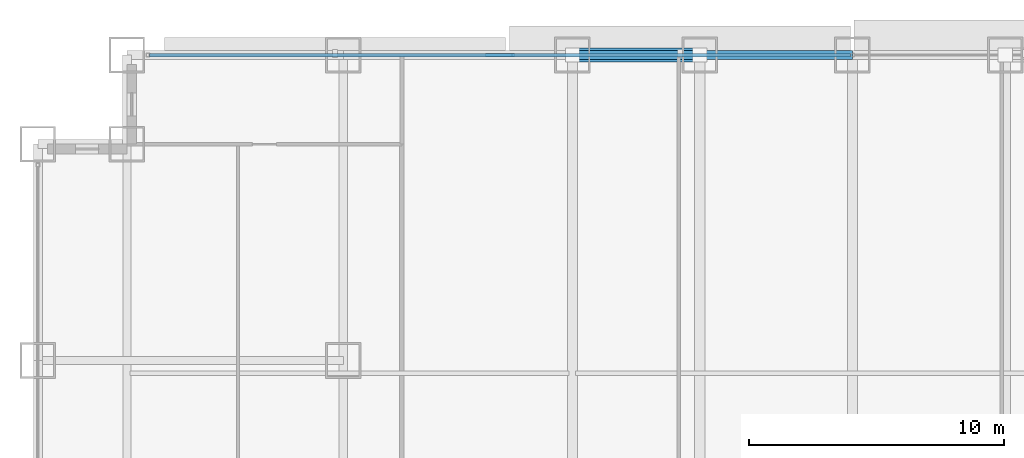
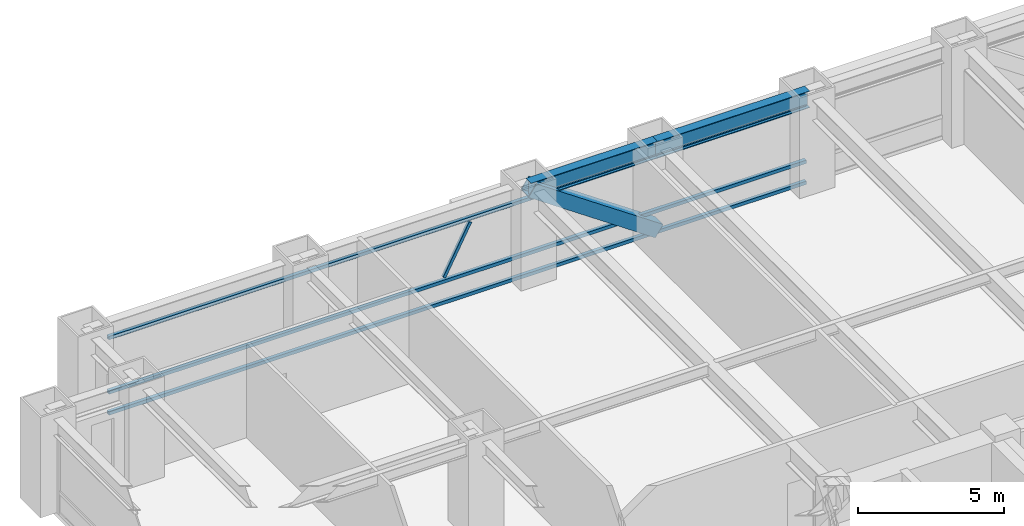
# One storey, part 18 of 32: 5 members, 2 beams, 1 element without a shape of its own.
"""IFC4 building model written with IfcOpenShell, lengths in metres."""

from ifc_helpers import new_model, si_unit, direction, frame, origin, origin_2d, place, context, subcontext, project, spatial, hollow_rectangle, i_section, extrude, source, transform, mapped, material, material_profile, profile_set, type_object, element, aggregate, save


model = new_model("IFC4")

# Units and contexts
model_context = context("Model", 3, precision=1e-05, world=origin(), true_north=direction((0.0, 1.0)))
body_context = subcontext(model_context, "Body", "Model", "MODEL_VIEW")
ifc_project = project(units=[si_unit("LENGTHUNIT", "METRE"), si_unit("AREAUNIT", "SQUARE_METRE"), si_unit("VOLUMEUNIT", "CUBIC_METRE"), si_unit("PLANEANGLEUNIT", "RADIAN"), si_unit("MASSUNIT", "GRAM", prefix="KILO")], contexts=[model_context])

# Site, building, storey
site_placement = place(None, origin())
site = spatial("IfcSite", under=ifc_project, at=site_placement, CompositionType="ELEMENT")
building_placement = place(site_placement, origin())
building = spatial("IfcBuilding", under=site, at=building_placement, Name="Khorayat Bourse Tower", CompositionType="ELEMENT")
storey_placement = place(building_placement, frame((0.0, 0.0, 78.800048828125)))
storey = spatial("IfcBuildingStorey", under=building, at=storey_placement, Name="L17", CompositionType="ELEMENT", Elevation=78.800048828125)

# Beams
ifc_material_1 = material(Name="Steel ASTM A992 Grade 50", Category="steel")
ifc_material_profile_1 = material_profile(ifc_material_1, i_section(OverallWidth=0.35498046875, OverallDepth=0.695068359375, WebThickness=0.015380859375, FlangeThickness=0.02490234375, FilletRadius=0.01806640625, at=origin_2d()), Name="W690X217")
ifc_profile_set_1 = profile_set([ifc_material_profile_1], Name="Steel ASTM A992 Grade 50")
beam_type = type_object("IfcBeamType", Name="BM-SPAN-690", PredefinedType="SPANDREL", material=ifc_profile_set_1)
shared_shape_1 = source(origin(), body_context, "Body", "SweptSolid", [
    extrude(i_section(OverallWidth=0.35498046875, OverallDepth=0.695068359375, WebThickness=0.015380859375, FlangeThickness=0.02490234375, FilletRadius=0.01806640625, at=origin_2d()), origin(), (0.0, 0.0, 1.0), 5.0),
])
beam_1_placement = place(storey_placement, frame((-11.0, 32.0, 3.592529296875), z_axis=(1.0, 0.0, 0.0), x_axis=(0.0, 1.0, 0.0)))
element("IfcBeam", 1, at=beam_1_placement, inside=storey, type_object=beam_type, Name="L17 BM-SPAN-690 BM-L17-SPN-049", PredefinedType="SPANDREL", context=body_context, shape_type="MappedRepresentation", body=[
    mapped(shared_shape_1, transform((0.0, 0.0, 0.0), scale=1.0)),
])
shared_shape_2 = source(origin(), body_context, "Body", "SweptSolid", [
    extrude(i_section(OverallWidth=0.35498046875, OverallDepth=0.695068359375, WebThickness=0.015380859375, FlangeThickness=0.02490234375, FilletRadius=0.01806640625, at=origin_2d()), origin(), (0.0, 0.0, 1.0), 6.0),
])
beam_2_placement = place(storey_placement, frame((-6.0, 32.0, 3.592529296875), z_axis=(1.0, 0.0, 0.0), x_axis=(0.0, 1.0, 0.0)))
element("IfcBeam", 2, at=beam_2_placement, inside=storey, type_object=beam_type, Name="L17 BM-SPAN-690 BM-L17-SPN-048", PredefinedType="SPANDREL", context=body_context, shape_type="MappedRepresentation", body=[
    mapped(shared_shape_2, transform((0.0, 0.0, 0.0), scale=1.0)),
])

# Member
ifc_material_2 = material(Name="Steel EN 10025-4 S460M", Category="steel")
ifc_material_profile_2 = material_profile(ifc_material_2, hollow_rectangle(XDim=0.550048828125, YDim=0.550048828125, WallThickness=0.031982421875, at=origin_2d()), Name="HSS 550x550x32")
ifc_profile_set_2 = profile_set([ifc_material_profile_2], Name="Steel EN 10025-4 S460M")
member_type_1 = type_object("IfcMemberType", Name="MBR-TUBE-550", PredefinedType="BRACE", material=ifc_profile_set_2)
shared_shape_3 = source(origin(), body_context, "Body", "SweptSolid", [
    extrude(hollow_rectangle(XDim=0.550048828125, YDim=0.550048828125, WallThickness=0.031982421875, at=origin_2d()), origin(), (0.0, 0.0, 1.0), 6.069091796875),
])
member_1_placement = place(storey_placement, frame((-11.0, 32.0, 3.68994140625), z_axis=(0.823854080622, 0.0, -0.566801952928), x_axis=(0.0, 1.0, 0.0)))
element("IfcMember", 3, at=member_1_placement, inside=storey, type_object=member_type_1, Name="L17 Perimeter Tube Brace 03", PredefinedType="BRACE", context=body_context, shape_type="MappedRepresentation", body=[
    mapped(shared_shape_3, transform((0.0, 0.0, 0.0), scale=1.0)),
])

# Curtain wall, members
ifc_material_3 = material(Name="Aluminium EN AW-6063 T6", Category="aluminium")
curtain_wall_type = type_object("IfcCurtainWallType", Name="CW-SYS-02", PredefinedType="NOTDEFINED", material=ifc_material_3)
curtain_wall_placement = place(storey_placement, origin())
curtain_wall = element("IfcCurtainWall", 4, at=curtain_wall_placement, inside=storey, type_object=curtain_wall_type, Name="L17 Curtain Wall CW-L17-N1", PredefinedType="NOTDEFINED")
ifc_material_profile_3 = material_profile(ifc_material_3, hollow_rectangle(XDim=0.1201171875, YDim=0.1201171875, WallThickness=0.0048828125, at=origin_2d()), Name="ALU 120x120x5")
ifc_profile_set_3 = profile_set([ifc_material_profile_3], Name="Aluminium EN AW-6063 T6")
member_type_2 = type_object("IfcMemberType", Name="CWM-DIAG-120", PredefinedType="MULLION", material=ifc_profile_set_3)
shared_shape_4 = source(origin(), body_context, "Body", "SweptSolid", [
    extrude(hollow_rectangle(XDim=0.1201171875, YDim=0.1201171875, WallThickness=0.0048828125, at=origin_2d()), origin(), (0.0, 0.0, 1.0), 2.226318359375),
])
member_2_placement = place(storey_placement, frame((-14.3583984375, 32.0, 1.099853515625), z_axis=(0.465714796031, 0.0, 0.884934872608), x_axis=(0.0, 1.0, 0.0)))
member_2 = element("IfcMember", 5, at=member_2_placement, type_object=member_type_2, Name="CW-L17-N1 Faceted Diagonal Mullion 1", PredefinedType="MULLION", context=body_context, shape_type="MappedRepresentation", body=[
    mapped(shared_shape_4, transform((0.0, 0.0, 0.0), scale=1.0)),
])
ifc_material_profile_4 = material_profile(ifc_material_3, hollow_rectangle(XDim=0.139892578125, YDim=0.139892578125, WallThickness=0.006103515625, at=origin_2d()), Name="ALU 140x140x6")
ifc_profile_set_4 = profile_set([ifc_material_profile_4], Name="Aluminium EN AW-6063 T6")
member_type_3 = type_object("IfcMemberType", Name="CWT-HORZ-140", PredefinedType="USERDEFINED", material=ifc_profile_set_4)
shared_shape_5 = source(origin(), body_context, "Body", "SweptSolid", [
    extrude(hollow_rectangle(XDim=0.139892578125, YDim=0.139892578125, WallThickness=0.006103515625, at=origin_2d()), origin(), (0.0, 0.0, 1.0), 27.5400390625),
])
member_3_placement = place(storey_placement, frame((-27.610107421875, 32.0, 0.070068359375), z_axis=(1.0, 0.0, 0.0), x_axis=(0.0, 1.0, 0.0)))
member_3 = element("IfcMember", 6, at=member_3_placement, type_object=member_type_3, Name="CW-L17-N1 Horizontal Transom 1-1", ObjectType="TRANSOM", PredefinedType="USERDEFINED", context=body_context, shape_type="MappedRepresentation", body=[
    mapped(shared_shape_5, transform((0.0, 0.0, 0.0), scale=1.0)),
])
member_4_placement = place(storey_placement, frame((-27.610107421875, 32.0, 0.949951171875), z_axis=(1.0, 0.0, 0.0), x_axis=(0.0, 1.0, 0.0)))
member_4 = element("IfcMember", 7, at=member_4_placement, type_object=member_type_3, Name="CW-L17-N1 Horizontal Transom 1-2", ObjectType="TRANSOM", PredefinedType="USERDEFINED", context=body_context, shape_type="MappedRepresentation", body=[
    mapped(shared_shape_5, transform((0.0, 0.0, 0.0), scale=1.0)),
])
member_5_placement = place(storey_placement, frame((-27.610107421875, 32.0, 3.219970703125), z_axis=(1.0, 0.0, 0.0), x_axis=(0.0, 1.0, 0.0)))
member_5 = element("IfcMember", 8, at=member_5_placement, type_object=member_type_3, Name="CW-L17-N1 Horizontal Transom 1-3", ObjectType="TRANSOM", PredefinedType="USERDEFINED", context=body_context, shape_type="MappedRepresentation", body=[
    mapped(shared_shape_5, transform((0.0, 0.0, 0.0), scale=1.0)),
])
aggregate(curtain_wall, [member_3, member_4, member_5, member_2])

save(model, "model.ifc")
